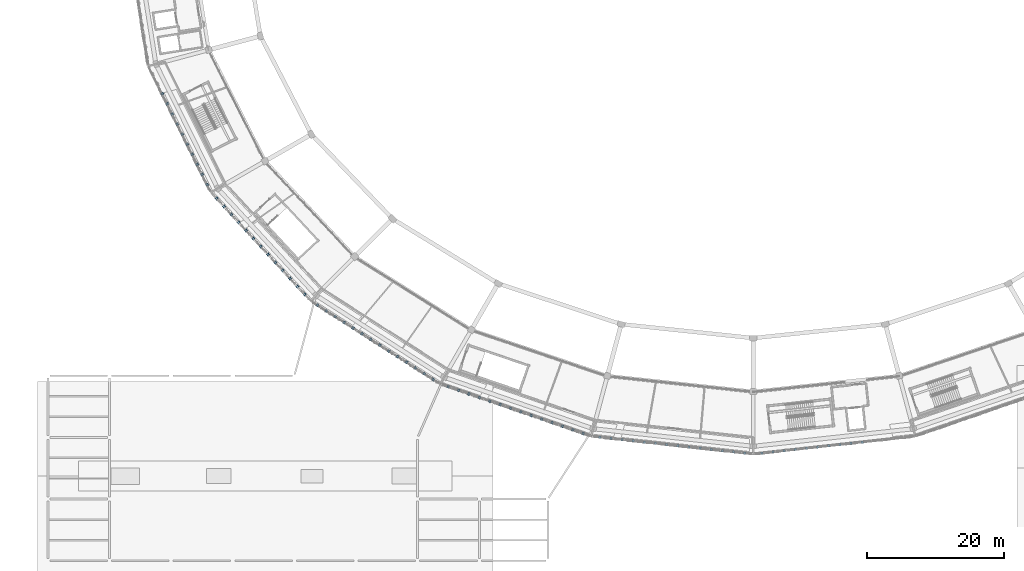
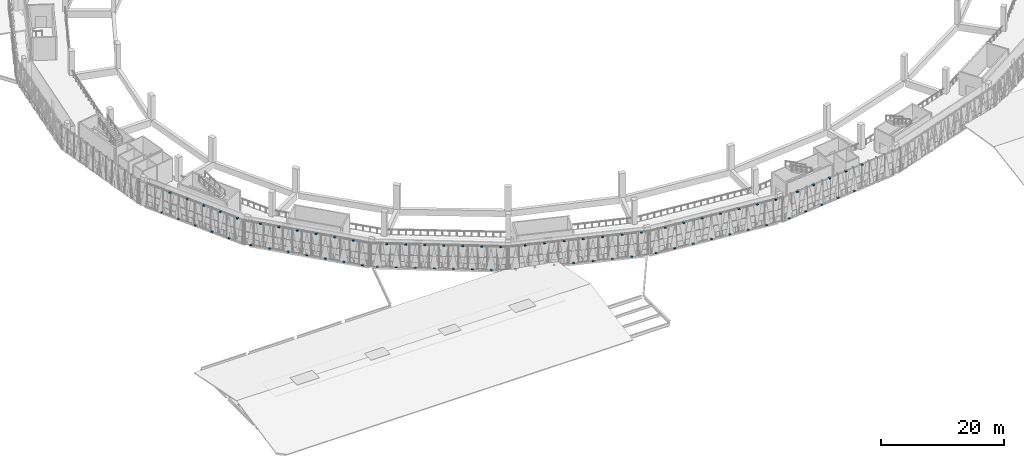
# One storey, part 76 of 108: 75 discrete accessories.
"""IFC4 building model written with IfcOpenShell, lengths in metres."""

from ifc_helpers import new_model, si_unit, direction, frame, origin, origin_2d, place, context, subcontext, project, spatial, rectangle, extrude, material, layer, layer_set, type_object, element, save


model = new_model("IFC4")

# Units and contexts
model_context = context("Model", 3, precision=1e-05, world=origin(), true_north=direction((0.0, 1.0)))
body_context = subcontext(model_context, "Body", "Model", "MODEL_VIEW")
ifc_project = project(units=[si_unit("LENGTHUNIT", "METRE"), si_unit("AREAUNIT", "SQUARE_METRE"), si_unit("VOLUMEUNIT", "CUBIC_METRE"), si_unit("PLANEANGLEUNIT", "RADIAN"), si_unit("MASSUNIT", "GRAM", prefix="KILO")], contexts=[model_context])

# Site, building, storey
site_placement = place(None, origin())
site = spatial("IfcSite", under=ifc_project, at=site_placement, CompositionType="ELEMENT")
building_placement = place(site_placement, origin())
building = spatial("IfcBuilding", under=site, at=building_placement, Name="Zevraka Park Crest Stadium", CompositionType="ELEMENT")
storey_placement = place(building_placement, frame((0.0, 0.0, 19.800048828125)))
storey = spatial("IfcBuildingStorey", under=building, at=storey_placement, Name="L04", CompositionType="ELEMENT", Elevation=19.800048828125)

# Discrete accessories
ifc_material = material(Name="Galvanised steel bracketry", Category="steel")
ifc_layer = layer(ifc_material, 0.1201171875)
ifc_layer_set = layer_set([ifc_layer], Name="Galvanised steel bracketry")
discrete_accessory_type = type_object("IfcDiscreteAccessoryType", Name="BRK01", PredefinedType="BRACKET", material=ifc_layer_set)
for number, where, z_axis, x_axis, name in (
    (1, (25.693115234375, 68.14794921875, -0.16015625), (0.0, 0.0, 1.0), (0.444009746106, -0.896021955849, 0.0), "Bronze Screen Carrier Bracket BRK01 L04-13-3"),
    (2, (26.4208984375, 66.677978515625, 4.39990234375), (0.0, 0.0, 1.0), (0.444009746106, -0.896021955849, 0.0), "Bronze Screen Carrier Bracket BRK01 L04-13-4"),
    (3, (27.14990234375, 65.20703125, -0.16015625), (0.0, 0.0, 1.0), (0.444009746106, -0.896021955849, 0.0), "Bronze Screen Carrier Bracket BRK01 L04-13-5"),
    (4, (27.8779296875, 63.737060546875, 4.39990234375), (0.0, 0.0, 1.0), (0.444009746106, -0.896021955849, 0.0), "Bronze Screen Carrier Bracket BRK01 L04-13-6"),
    (5, (28.60693359375, 62.26708984375, -0.16015625), (0.0, 0.0, 1.0), (0.444009746106, -0.896021955849, 0.0), "Bronze Screen Carrier Bracket BRK01 L04-13-7"),
    (6, (29.3349609375, 60.797119140625, 4.39990234375), (0.0, 0.0, 1.0), (0.444009746106, -0.896021955849, 0.0), "Bronze Screen Carrier Bracket BRK01 L04-13-8"),
    (7, (30.06396484375, 59.325927734375, -0.16015625), (0.0, 0.0, 1.0), (0.444009746106, -0.896021955849, 0.0), "Bronze Screen Carrier Bracket BRK01 L04-13-9"),
    (8, (30.7919921875, 57.85595703125, 4.39990234375), (0.0, 0.0, 1.0), (0.444009746106, -0.896021955849, 0.0), "Bronze Screen Carrier Bracket BRK01 L04-13-10"),
    (9, (31.52099609375, 56.385986328125, -0.16015625), (0.0, 0.0, 1.0), (0.444009746106, -0.896021955849, 0.0), "Bronze Screen Carrier Bracket BRK01 L04-13-11"),
    (10, (32.2490234375, 54.9150390625, 4.39990234375), (0.0, 0.0, 1.0), (0.444009746106, -0.896021955849, 0.0), "Bronze Screen Carrier Bracket BRK01 L04-13-12"),
    (11, (33.64306640625, 52.8759765625, -0.16015625), (0.0, 0.0, 1.0), (0.676104759618, -0.736805506238, 0.0), "Bronze Screen Carrier Bracket BRK01 L04-14-1"),
    (12, (34.715087890625, 51.7080078125, 4.39990234375), (0.0, 0.0, 1.0), (0.676104759618, -0.736805506238, 0.0), "Bronze Screen Carrier Bracket BRK01 L04-14-2"),
    (13, (35.787109375, 50.5400390625, -0.16015625), (0.0, 0.0, 1.0), (0.676104759618, -0.736805506238, 0.0), "Bronze Screen Carrier Bracket BRK01 L04-14-3"),
    (14, (36.85791015625, 49.3720703125, 4.39990234375), (0.0, 0.0, 1.0), (0.676104759618, -0.736805506238, 0.0), "Bronze Screen Carrier Bracket BRK01 L04-14-4"),
    (15, (37.929931640625, 48.205078125, -0.16015625), (0.0, 0.0, 1.0), (0.676104759618, -0.736805506238, 0.0), "Bronze Screen Carrier Bracket BRK01 L04-14-5"),
    (16, (39.001953125, 47.037109375, 4.39990234375), (0.0, 0.0, 1.0), (0.676104759618, -0.736805506238, 0.0), "Bronze Screen Carrier Bracket BRK01 L04-14-6"),
    (17, (40.073974609375, 45.868896484375, -0.16015625), (0.0, 0.0, 1.0), (0.676104759618, -0.736805506238, 0.0), "Bronze Screen Carrier Bracket BRK01 L04-14-7"),
    (18, (41.14501953125, 44.700927734375, 4.39990234375), (0.0, 0.0, 1.0), (0.676104759618, -0.736805506238, 0.0), "Bronze Screen Carrier Bracket BRK01 L04-14-8"),
    (19, (42.217041015625, 43.532958984375, -0.16015625), (0.0, 0.0, 1.0), (0.676104759618, -0.736805506238, 0.0), "Bronze Screen Carrier Bracket BRK01 L04-14-9"),
    (20, (43.2890625, 42.365966796875, 4.39990234375), (0.0, 0.0, 1.0), (0.676104759618, -0.736805506238, 0.0), "Bronze Screen Carrier Bracket BRK01 L04-14-10"),
    (21, (44.360107421875, 41.197998046875, -0.16015625), (0.0, 0.0, 1.0), (0.676104759618, -0.736805506238, 0.0), "Bronze Screen Carrier Bracket BRK01 L04-14-11"),
    (22, (45.431884765625, 40.030029296875, 4.39990234375), (0.0, 0.0, 1.0), (0.676104759618, -0.736805506238, 0.0), "Bronze Screen Carrier Bracket BRK01 L04-14-12"),
    (23, (46.50390625, 38.862060546875, -0.16015625), (0.0, 0.0, 1.0), (0.676104759618, -0.736805506238, 0.0), "Bronze Screen Carrier Bracket BRK01 L04-14-13"),
    (24, (48.360107421875, 37.297119140625, -0.16015625), (0.0, 0.0, 1.0), (0.841699310121, -0.539946544894, 0.0), "Bronze Screen Carrier Bracket BRK01 L04-15-1"),
    (25, (49.659912109375, 36.464111328125, 4.39990234375), (0.0, 0.0, 1.0), (0.841699310121, -0.539946544894, 0.0), "Bronze Screen Carrier Bracket BRK01 L04-15-2"),
    (26, (50.958984375, 35.6298828125, -0.16015625), (0.0, 0.0, 1.0), (0.841699310121, -0.539946544894, 0.0), "Bronze Screen Carrier Bracket BRK01 L04-15-3"),
    (27, (52.259033203125, 34.7958984375, 4.39990234375), (0.0, 0.0, 1.0), (0.841699310121, -0.539946544894, 0.0), "Bronze Screen Carrier Bracket BRK01 L04-15-4"),
    (28, (53.55810546875, 33.962890625, -0.16015625), (0.0, 0.0, 1.0), (0.841699310121, -0.539946544894, 0.0), "Bronze Screen Carrier Bracket BRK01 L04-15-5"),
    (29, (54.85791015625, 33.12890625, 4.39990234375), (0.0, 0.0, 1.0), (0.841699310121, -0.539946544894, 0.0), "Bronze Screen Carrier Bracket BRK01 L04-15-6"),
    (30, (56.156982421875, 32.294921875, -0.16015625), (0.0, 0.0, 1.0), (0.841699310121, -0.539946544894, 0.0), "Bronze Screen Carrier Bracket BRK01 L04-15-7"),
    (31, (57.45703125, 31.4619140625, 4.39990234375), (0.0, 0.0, 1.0), (0.841699310121, -0.539946544894, 0.0), "Bronze Screen Carrier Bracket BRK01 L04-15-8"),
    (32, (58.756103515625, 30.6279296875, -0.16015625), (0.0, 0.0, 1.0), (0.841699310121, -0.539946544894, 0.0), "Bronze Screen Carrier Bracket BRK01 L04-15-9"),
    (33, (60.055908203125, 29.7939453125, 4.39990234375), (0.0, 0.0, 1.0), (0.841699310121, -0.539946544894, 0.0), "Bronze Screen Carrier Bracket BRK01 L04-15-10"),
    (34, (61.35498046875, 28.9609375, -0.16015625), (0.0, 0.0, 1.0), (0.841699310121, -0.539946544894, 0.0), "Bronze Screen Carrier Bracket BRK01 L04-15-11"),
    (35, (62.655029296875, 28.126953125, 4.39990234375), (0.0, 0.0, 1.0), (0.841699310121, -0.539946544894, 0.0), "Bronze Screen Carrier Bracket BRK01 L04-15-12"),
    (36, (63.9541015625, 27.29296875, -0.16015625), (0.0, 0.0, 1.0), (0.841699310121, -0.539946544894, 0.0), "Bronze Screen Carrier Bracket BRK01 L04-15-13"),
    (37, (65.25390625, 26.4599609375, 4.39990234375), (0.0, 0.0, 1.0), (0.841699310121, -0.539946544894, 0.0), "Bronze Screen Carrier Bracket BRK01 L04-15-14"),
    (38, (67.452880859375, 25.39599609375, -0.16015625), (0.0, 0.0, 1.0), (0.944948912158, -0.327217898979, 0.0), "Bronze Screen Carrier Bracket BRK01 L04-16-1"),
    (39, (68.968994140625, 24.8720703125, 4.39990234375), (0.0, 0.0, 1.0), (0.944948912158, -0.327217898979, 0.0), "Bronze Screen Carrier Bracket BRK01 L04-16-2"),
    (40, (70.48388671875, 24.346923828125, -0.16015625), (0.0, 0.0, 1.0), (0.944948912158, -0.327217898979, 0.0), "Bronze Screen Carrier Bracket BRK01 L04-16-3"),
    (41, (72.0, 23.822021484375, 4.39990234375), (0.0, 0.0, 1.0), (0.944948912158, -0.327217898979, 0.0), "Bronze Screen Carrier Bracket BRK01 L04-16-4"),
    (42, (73.514892578125, 23.297119140625, -0.16015625), (0.0, 0.0, 1.0), (0.944948912158, -0.327217898979, 0.0), "Bronze Screen Carrier Bracket BRK01 L04-16-5"),
    (43, (75.031005859375, 22.77197265625, 4.39990234375), (0.0, 0.0, 1.0), (0.944948912158, -0.327217898979, 0.0), "Bronze Screen Carrier Bracket BRK01 L04-16-6"),
    (44, (76.5458984375, 22.2470703125, -0.16015625), (0.0, 0.0, 1.0), (0.944948912158, -0.327217898979, 0.0), "Bronze Screen Carrier Bracket BRK01 L04-16-7"),
    (45, (78.06201171875, 21.722900390625, 4.39990234375), (0.0, 0.0, 1.0), (0.944948912158, -0.327217898979, 0.0), "Bronze Screen Carrier Bracket BRK01 L04-16-8"),
    (46, (79.576904296875, 21.197998046875, -0.16015625), (0.0, 0.0, 1.0), (0.944948912158, -0.327217898979, 0.0), "Bronze Screen Carrier Bracket BRK01 L04-16-9"),
    (47, (81.093017578125, 20.673095703125, 4.39990234375), (0.0, 0.0, 1.0), (0.944948912158, -0.327217898979, 0.0), "Bronze Screen Carrier Bracket BRK01 L04-16-10"),
    (48, (82.60791015625, 20.14794921875, -0.16015625), (0.0, 0.0, 1.0), (0.944948912158, -0.327217898979, 0.0), "Bronze Screen Carrier Bracket BRK01 L04-16-11"),
    (49, (84.1240234375, 19.623046875, 4.39990234375), (0.0, 0.0, 1.0), (0.944948912158, -0.327217898979, 0.0), "Bronze Screen Carrier Bracket BRK01 L04-16-12"),
    (50, (85.638916015625, 19.097900390625, -0.16015625), (0.0, 0.0, 1.0), (0.944948912158, -0.327217898979, 0.0), "Bronze Screen Carrier Bracket BRK01 L04-16-13"),
    (51, (87.155029296875, 18.573974609375, 4.39990234375), (0.0, 0.0, 1.0), (0.944948912158, -0.327217898979, 0.0), "Bronze Screen Carrier Bracket BRK01 L04-16-14"),
    (52, (89.5859375, 18.028076171875, -0.16015625), (0.0, 0.0, 1.0), (0.993999199399, -0.109387346587, 0.0), "Bronze Screen Carrier Bracket BRK01 L04-17-1"),
    (53, (91.214111328125, 17.84912109375, 4.39990234375), (0.0, 0.0, 1.0), (0.993999199399, -0.109387346587, 0.0), "Bronze Screen Carrier Bracket BRK01 L04-17-2"),
    (54, (92.841064453125, 17.669921875, -0.16015625), (0.0, 0.0, 1.0), (0.993999199399, -0.109387346587, 0.0), "Bronze Screen Carrier Bracket BRK01 L04-17-3"),
    (55, (94.468994140625, 17.490966796875, 4.39990234375), (0.0, 0.0, 1.0), (0.993999199399, -0.109387346587, 0.0), "Bronze Screen Carrier Bracket BRK01 L04-17-4"),
    (56, (96.096923828125, 17.31103515625, -0.16015625), (0.0, 0.0, 1.0), (0.993999199399, -0.109387346587, 0.0), "Bronze Screen Carrier Bracket BRK01 L04-17-5"),
    (57, (97.72412109375, 17.132080078125, 4.39990234375), (0.0, 0.0, 1.0), (0.993999199399, -0.109387346587, 0.0), "Bronze Screen Carrier Bracket BRK01 L04-17-6"),
    (58, (99.35205078125, 16.952880859375, -0.16015625), (0.0, 0.0, 1.0), (0.993999199399, -0.109387346587, 0.0), "Bronze Screen Carrier Bracket BRK01 L04-17-7"),
    (59, (100.97998046875, 16.77392578125, 4.39990234375), (0.0, 0.0, 1.0), (0.993999199399, -0.109387346587, 0.0), "Bronze Screen Carrier Bracket BRK01 L04-17-8"),
    (60, (102.60791015625, 16.594970703125, -0.16015625), (0.0, 0.0, 1.0), (0.993999199399, -0.109387346587, 0.0), "Bronze Screen Carrier Bracket BRK01 L04-17-9"),
    (61, (104.235107421875, 16.416015625, 4.39990234375), (0.0, 0.0, 1.0), (0.993999199399, -0.109387346587, 0.0), "Bronze Screen Carrier Bracket BRK01 L04-17-10"),
    (62, (105.863037109375, 16.236083984375, -0.16015625), (0.0, 0.0, 1.0), (0.993999199399, -0.109387346587, 0.0), "Bronze Screen Carrier Bracket BRK01 L04-17-11"),
    (63, (107.490966796875, 16.056884765625, 4.39990234375), (0.0, 0.0, 1.0), (0.993999199399, -0.109387346587, 0.0), "Bronze Screen Carrier Bracket BRK01 L04-17-12"),
    (64, (109.117919921875, 15.8779296875, -0.16015625), (0.0, 0.0, 1.0), (0.993999199399, -0.109387346587, 0.0), "Bronze Screen Carrier Bracket BRK01 L04-17-13"),
    (65, (110.74609375, 15.698974609375, 4.39990234375), (0.0, 0.0, 1.0), (0.993999199399, -0.109387346587, 0.0), "Bronze Screen Carrier Bracket BRK01 L04-17-14"),
    (66, (113.25390625, 15.698974609375, -0.16015625), (0.0, 0.0, 1.0), (0.993999199399, 0.109387346587, 0.0), "Bronze Screen Carrier Bracket BRK01 L04-18-1"),
    (67, (114.882080078125, 15.8779296875, 4.39990234375), (0.0, 0.0, 1.0), (0.993999199399, 0.109387346587, 0.0), "Bronze Screen Carrier Bracket BRK01 L04-18-2"),
    (68, (116.509033203125, 16.056884765625, -0.16015625), (0.0, 0.0, 1.0), (0.993999199399, 0.109387346587, 0.0), "Bronze Screen Carrier Bracket BRK01 L04-18-3"),
    (69, (118.136962890625, 16.236083984375, 4.39990234375), (0.0, 0.0, 1.0), (0.993999199399, 0.109387346587, 0.0), "Bronze Screen Carrier Bracket BRK01 L04-18-4"),
    (70, (119.764892578125, 16.416015625, -0.16015625), (0.0, 0.0, 1.0), (0.993999199399, 0.109387346587, 0.0), "Bronze Screen Carrier Bracket BRK01 L04-18-5"),
    (71, (121.39208984375, 16.594970703125, 4.39990234375), (0.0, 0.0, 1.0), (0.993999199399, 0.109387346587, 0.0), "Bronze Screen Carrier Bracket BRK01 L04-18-6"),
    (72, (123.02001953125, 16.77392578125, -0.16015625), (0.0, 0.0, 1.0), (0.993999199399, 0.109387346587, 0.0), "Bronze Screen Carrier Bracket BRK01 L04-18-7"),
    (73, (124.64794921875, 16.952880859375, 4.39990234375), (0.0, 0.0, 1.0), (0.993999199399, 0.109387346587, 0.0), "Bronze Screen Carrier Bracket BRK01 L04-18-8"),
    (74, (126.27587890625, 17.132080078125, -0.16015625), (0.0, 0.0, 1.0), (0.993999199399, 0.109387346587, 0.0), "Bronze Screen Carrier Bracket BRK01 L04-18-9"),
    (75, (127.903076171875, 17.31103515625, 4.39990234375), (0.0, 0.0, 1.0), (0.993999199399, 0.109387346587, 0.0), "Bronze Screen Carrier Bracket BRK01 L04-18-10"),
):
    element("IfcDiscreteAccessory", number, at=place(storey_placement, frame(where, z_axis=z_axis, x_axis=x_axis)), inside=storey, type_object=discrete_accessory_type, Name=name, PredefinedType="BRACKET", context=body_context, shape_type="SweptSolid", body=[
        extrude(rectangle(XDim=0.320068359375, YDim=0.360107421875, at=origin_2d()), origin(), (0.0, 0.0, 1.0), 0.159912109375),
    ])

save(model, "model.ifc")
